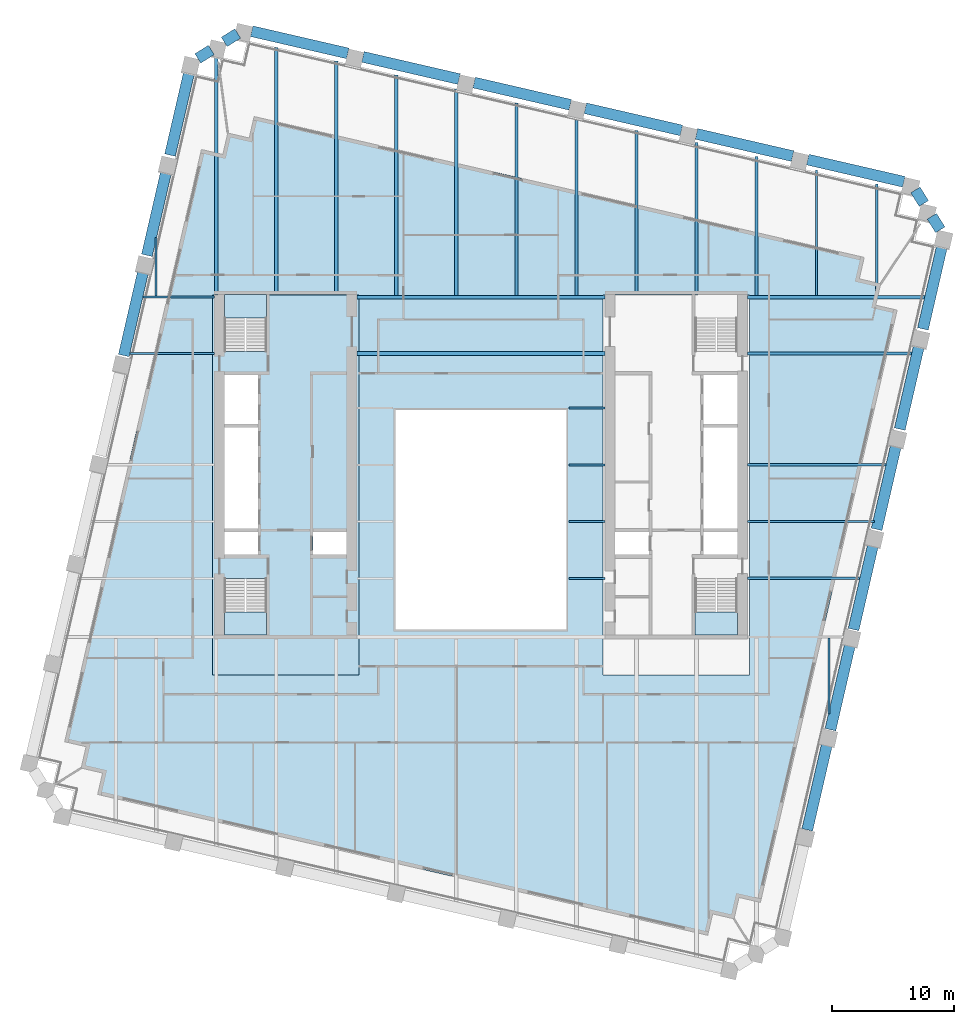
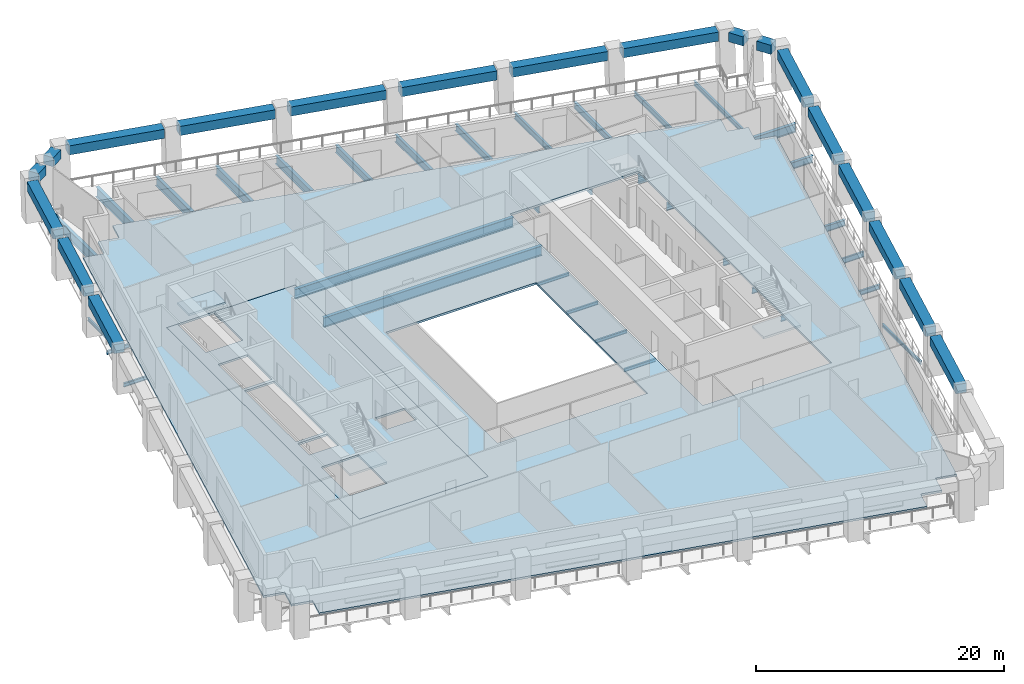
# One storey, part 2 of 10: 46 beams, 5 slabs, 3 elements without a shape of their own.
"""IFC4 building model written with IfcOpenShell, lengths in metres."""

from ifc_helpers import new_model, si_unit, direction, frame, origin, origin_2d, place, context, subcontext, project, spatial, polyline, rectangle, i_section, outline, extrude, material, layer, layer_set, material_profile, profile_set, type_object, element, aggregate, save


model = new_model("IFC4")

# Units and contexts
model_context = context("Model", 3, precision=1e-05, world=origin(), true_north=direction((0.0, 1.0)))
body_context = subcontext(model_context, "Body", "Model", "MODEL_VIEW")
ifc_project = project(units=[si_unit("LENGTHUNIT", "METRE"), si_unit("AREAUNIT", "SQUARE_METRE"), si_unit("VOLUMEUNIT", "CUBIC_METRE"), si_unit("PLANEANGLEUNIT", "RADIAN"), si_unit("MASSUNIT", "GRAM", prefix="KILO")], contexts=[model_context])

# Site, building, storey
site_placement = place(None, origin())
site = spatial("IfcSite", under=ifc_project, at=site_placement, CompositionType="ELEMENT")
building_placement = place(site_placement, origin())
building = spatial("IfcBuilding", under=site, at=building_placement, Name="Ogive Exchange Tower", CompositionType="ELEMENT")
storey_placement = place(building_placement, frame((0.0, 0.0, 143.39990234375)))
storey = spatial("IfcBuildingStorey", under=building, at=storey_placement, Name="L31", CompositionType="ELEMENT", Elevation=143.39990234375)

# Beams
ifc_material_1 = material(Name="Steel ASTM A992 Gr50", Category="steel")
ifc_material_profile_1 = material_profile(ifc_material_1, i_section(OverallWidth=0.300048828125, OverallDepth=0.969970703125, WebThickness=0.01611328125, FlangeThickness=0.02099609375, at=origin_2d()), Name="W1000x222")
ifc_profile_set_1 = profile_set([ifc_material_profile_1], Name="Steel ASTM A992 Gr50")
beam_type_1 = type_object("IfcBeamType", Name="Floor beam W1000x222", PredefinedType="JOIST", material=ifc_profile_set_1)
beam_1_placement = place(storey_placement, frame((-10.169921875, 20.62255859375, -0.684814453125), z_axis=(1.0, 0.0, 0.0), x_axis=(0.0, 1.0, 0.0)))
element("IfcBeam", 1, at=beam_1_placement, inside=storey, type_object=beam_type_1, Name="Floor beam", PredefinedType="JOIST", context=body_context, shape_type="SweptSolid", body=[
    extrude(i_section(OverallWidth=0.300048828125, OverallDepth=0.969970703125, WebThickness=0.01611328125, FlangeThickness=0.02099609375, at=origin_2d()), origin(), (0.0, 0.0, 1.0), 20.33984375),
])
beam_2_placement = place(storey_placement, frame((-21.68505859375, 25.39990234375, -0.684814453125), z_axis=(0.0, 1.0, 0.0), x_axis=(-1.0, 0.0, 0.0)))
element("IfcBeam", 2, at=beam_2_placement, inside=storey, type_object=beam_type_1, Name="Floor beam", PredefinedType="JOIST", context=body_context, shape_type="SweptSolid", body=[
    extrude(i_section(OverallWidth=0.300048828125, OverallDepth=0.969970703125, WebThickness=0.01611328125, FlangeThickness=0.02099609375, at=origin_2d()), origin(), (0.0, 0.0, 1.0), 19.54150390625),
])
beam_3_placement = place(storey_placement, frame((-16.7666015625, 25.39990234375, -0.684814453125), z_axis=(0.0, 1.0, 0.0), x_axis=(-1.0, 0.0, 0.0)))
element("IfcBeam", 3, at=beam_3_placement, inside=storey, type_object=beam_type_1, Name="Floor beam", PredefinedType="JOIST", context=body_context, shape_type="SweptSolid", body=[
    extrude(i_section(OverallWidth=0.300048828125, OverallDepth=0.969970703125, WebThickness=0.01611328125, FlangeThickness=0.02099609375, at=origin_2d()), origin(), (0.0, 0.0, 1.0), 20.30859375),
])
ifc_material_profile_2 = material_profile(ifc_material_1, i_section(OverallWidth=0.1650390625, OverallDepth=0.31005859375, WebThickness=0.005859375, FlangeThickness=0.009765625, at=origin_2d()), Name="W310x38.7")
ifc_profile_set_2 = profile_set([ifc_material_profile_2], Name="Steel ASTM A992 Gr50")
beam_type_2 = type_object("IfcBeamType", Name="Floor beam W310x38.7", PredefinedType="JOIST", material=ifc_profile_set_2)
for number, where, z_axis, x_axis, name in (
    (4, (7.219970703125, 2.208740234375, -0.35498046875), (1.0, 0.0, 0.0), (0.0, 1.0, 0.0), "Floor beam"),
    (5, (7.219970703125, 6.857421875, -0.35498046875), (1.0, 0.0, 0.0), (0.0, 1.0, 0.0), "Floor beam"),
    (6, (7.219970703125, 11.50634765625, -0.35498046875), (1.0, 0.0, 0.0), (0.0, 1.0, 0.0), "Floor beam"),
):
    element("IfcBeam", number, at=place(storey_placement, frame(where, z_axis=z_axis, x_axis=x_axis)), inside=storey, type_object=beam_type_2, Name=name, PredefinedType="JOIST", context=body_context, shape_type="SweptSolid", body=[
        extrude(i_section(OverallWidth=0.1650390625, OverallDepth=0.31005859375, WebThickness=0.005859375, FlangeThickness=0.009765625, at=origin_2d()), origin(), (0.0, 0.0, 1.0), 2.949951171875),
    ])
beam_4_placement = place(storey_placement, frame((28.499267578125, -8.9033203125, -0.35498046875), z_axis=(0.0, 1.0, 0.0), x_axis=(-1.0, 0.0, 0.0)))
element("IfcBeam", 7, at=beam_4_placement, inside=storey, type_object=beam_type_2, Name="Floor beam", PredefinedType="JOIST", context=body_context, shape_type="SweptSolid", body=[
    extrude(i_section(OverallWidth=0.1650390625, OverallDepth=0.31005859375, WebThickness=0.005859375, FlangeThickness=0.009765625, at=origin_2d()), origin(), (0.0, 0.0, 1.0), 6.212890625),
])
beam_5_placement = place(storey_placement, frame((-26.603515625, 25.33056640625, -0.35498046875), z_axis=(0.0, 1.0, 0.0), x_axis=(-1.0, 0.0, 0.0)))
element("IfcBeam", 8, at=beam_5_placement, inside=storey, type_object=beam_type_2, Name="Floor beam", PredefinedType="JOIST", context=body_context, shape_type="SweptSolid", body=[
    extrude(i_section(OverallWidth=0.1650390625, OverallDepth=0.31005859375, WebThickness=0.005859375, FlangeThickness=0.009765625, at=origin_2d()), origin(), (0.0, 0.0, 1.0), 4.784423828125),
])
ifc_material_profile_3 = material_profile(ifc_material_1, i_section(OverallWidth=0.1708984375, OverallDepth=0.35595703125, WebThickness=0.00732421875, FlangeThickness=0.01171875, at=origin_2d()), Name="W360x51")
ifc_profile_set_3 = profile_set([ifc_material_profile_3], Name="Steel ASTM A992 Gr50")
beam_type_3 = type_object("IfcBeamType", Name="Floor beam W360x51", PredefinedType="JOIST", material=ifc_profile_set_3)
beam_6_placement = place(storey_placement, frame((-28.76025390625, 20.62255859375, -0.3779296875), z_axis=(1.0, 0.0, 0.0), x_axis=(0.0, 1.0, 0.0)))
element("IfcBeam", 9, at=beam_6_placement, inside=storey, type_object=beam_type_3, Name="Floor beam", PredefinedType="JOIST", context=body_context, shape_type="SweptSolid", body=[
    extrude(i_section(OverallWidth=0.1708984375, OverallDepth=0.35595703125, WebThickness=0.00732421875, FlangeThickness=0.01171875, at=origin_2d()), origin(), (0.0, 0.0, 1.0), 6.93017578125),
])
ifc_material_profile_4 = material_profile(ifc_material_1, i_section(OverallWidth=0.19091796875, OverallDepth=0.45703125, WebThickness=0.009033203125, FlangeThickness=0.014404296875, at=origin_2d()), Name="W460x74")
ifc_profile_set_4 = profile_set([ifc_material_profile_4], Name="Steel ASTM A992 Gr50")
beam_type_4 = type_object("IfcBeamType", Name="Floor beam W460x74", PredefinedType="JOIST", material=ifc_profile_set_4)
beam_7_placement = place(storey_placement, frame((21.830078125, 2.208740234375, -0.428466796875), z_axis=(1.0, 0.0, 0.0), x_axis=(0.0, 1.0, 0.0)))
element("IfcBeam", 10, at=beam_7_placement, inside=storey, type_object=beam_type_4, Name="Floor beam", PredefinedType="JOIST", context=body_context, shape_type="SweptSolid", body=[
    extrude(i_section(OverallWidth=0.19091796875, OverallDepth=0.45703125, WebThickness=0.009033203125, FlangeThickness=0.014404296875, at=origin_2d()), origin(), (0.0, 0.0, 1.0), 9.199951171875),
])
beam_8_placement = place(storey_placement, frame((32.41748046875, 25.39111328125, -0.428466796875), z_axis=(0.0, 1.0, 0.0), x_axis=(-1.0, 0.0, 0.0)))
element("IfcBeam", 11, at=beam_8_placement, inside=storey, type_object=beam_type_4, Name="Floor beam", PredefinedType="JOIST", context=body_context, shape_type="SweptSolid", body=[
    extrude(i_section(OverallWidth=0.19091796875, OverallDepth=0.45703125, WebThickness=0.009033203125, FlangeThickness=0.014404296875, at=origin_2d()), origin(), (0.0, 0.0, 1.0), 9.1123046875),
])
ifc_material_profile_5 = material_profile(ifc_material_1, i_section(OverallWidth=0.1669921875, OverallDepth=0.535888671875, WebThickness=0.01025390625, FlangeThickness=0.0166015625, at=origin_2d()), Name="W530x85")
ifc_profile_set_5 = profile_set([ifc_material_profile_5], Name="Steel ASTM A992 Gr50")
beam_type_5 = type_object("IfcBeamType", Name="Floor beam W530x85", PredefinedType="JOIST", material=ifc_profile_set_5)
beam_9_placement = place(storey_placement, frame((21.830078125, 6.857421875, -0.468017578125), z_axis=(1.0, 0.0, 0.0), x_axis=(0.0, 1.0, 0.0)))
element("IfcBeam", 12, at=beam_9_placement, inside=storey, type_object=beam_type_5, Name="Floor beam", PredefinedType="JOIST", context=body_context, shape_type="SweptSolid", body=[
    extrude(i_section(OverallWidth=0.1669921875, OverallDepth=0.535888671875, WebThickness=0.01025390625, FlangeThickness=0.0166015625, at=origin_2d()), origin(), (0.0, 0.0, 1.0), 10.423095703125),
])
beam_10_placement = place(storey_placement, frame((27.499267578125, 25.39111328125, -0.468017578125), z_axis=(0.0, 1.0, 0.0), x_axis=(-1.0, 0.0, 0.0)))
element("IfcBeam", 13, at=beam_10_placement, inside=storey, type_object=beam_type_5, Name="Floor beam", PredefinedType="JOIST", context=body_context, shape_type="SweptSolid", body=[
    extrude(i_section(OverallWidth=0.1669921875, OverallDepth=0.535888671875, WebThickness=0.01025390625, FlangeThickness=0.0166015625, at=origin_2d()), origin(), (0.0, 0.0, 1.0), 10.247802734375),
])
ifc_material_profile_6 = material_profile(ifc_material_1, i_section(OverallWidth=0.22802734375, OverallDepth=0.60205078125, WebThickness=0.010498046875, FlangeThickness=0.014892578125, at=origin_2d()), Name="W610x101")
ifc_profile_set_6 = profile_set([ifc_material_profile_6], Name="Steel ASTM A992 Gr50")
beam_type_6 = type_object("IfcBeamType", Name="Floor beam W610x101", PredefinedType="JOIST", material=ifc_profile_set_6)
beam_11_placement = place(storey_placement, frame((21.830078125, 11.50634765625, -0.5009765625), z_axis=(1.0, 0.0, 0.0), x_axis=(0.0, 1.0, 0.0)))
element("IfcBeam", 14, at=beam_11_placement, inside=storey, type_object=beam_type_6, Name="Floor beam", PredefinedType="JOIST", context=body_context, shape_type="SweptSolid", body=[
    extrude(i_section(OverallWidth=0.22802734375, OverallDepth=0.60205078125, WebThickness=0.010498046875, FlangeThickness=0.014892578125, at=origin_2d()), origin(), (0.0, 0.0, 1.0), 11.346435546875),
])
beam_12_placement = place(storey_placement, frame((17.662353515625, 25.39990234375, -0.5009765625), z_axis=(0.0, 1.0, 0.0), x_axis=(-1.0, 0.0, 0.0)))
element("IfcBeam", 15, at=beam_12_placement, inside=storey, type_object=beam_type_6, Name="Floor beam", PredefinedType="JOIST", context=body_context, shape_type="SweptSolid", body=[
    extrude(i_section(OverallWidth=0.22802734375, OverallDepth=0.60205078125, WebThickness=0.010498046875, FlangeThickness=0.014892578125, at=origin_2d()), origin(), (0.0, 0.0, 1.0), 12.510009765625),
])
beam_13_placement = place(storey_placement, frame((22.580810546875, 25.39111328125, -0.5009765625), z_axis=(0.0, 1.0, 0.0), x_axis=(-1.0, 0.0, 0.0)))
element("IfcBeam", 16, at=beam_13_placement, inside=storey, type_object=beam_type_6, Name="Floor beam", PredefinedType="JOIST", context=body_context, shape_type="SweptSolid", body=[
    extrude(i_section(OverallWidth=0.22802734375, OverallDepth=0.60205078125, WebThickness=0.010498046875, FlangeThickness=0.014892578125, at=origin_2d()), origin(), (0.0, 0.0, 1.0), 11.38330078125),
])
ifc_material_profile_7 = material_profile(ifc_material_1, i_section(OverallWidth=0.25390625, OverallDepth=0.677978515625, WebThickness=0.01171875, FlangeThickness=0.016357421875, at=origin_2d()), Name="W690x125")
ifc_profile_set_7 = profile_set([ifc_material_profile_7], Name="Steel ASTM A992 Gr50")
beam_type_7 = type_object("IfcBeamType", Name="Floor beam W690x125", PredefinedType="JOIST", material=ifc_profile_set_7)
beam_14_placement = place(storey_placement, frame((21.830078125, 20.62255859375, -0.538818359375), z_axis=(1.0, 0.0, 0.0), x_axis=(0.0, 1.0, 0.0)))
element("IfcBeam", 17, at=beam_14_placement, inside=storey, type_object=beam_type_7, Name="Floor beam", PredefinedType="JOIST", context=body_context, shape_type="SweptSolid", body=[
    extrude(i_section(OverallWidth=0.25390625, OverallDepth=0.677978515625, WebThickness=0.01171875, FlangeThickness=0.016357421875, at=origin_2d()), origin(), (0.0, 0.0, 1.0), 13.60107421875),
])
beam_15_placement = place(storey_placement, frame((12.743896484375, 25.39990234375, -0.538818359375), z_axis=(0.0, 1.0, 0.0), x_axis=(-1.0, 0.0, 0.0)))
element("IfcBeam", 18, at=beam_15_placement, inside=storey, type_object=beam_type_7, Name="Floor beam", PredefinedType="JOIST", context=body_context, shape_type="SweptSolid", body=[
    extrude(i_section(OverallWidth=0.25390625, OverallDepth=0.677978515625, WebThickness=0.01171875, FlangeThickness=0.016357421875, at=origin_2d()), origin(), (0.0, 0.0, 1.0), 13.49560546875),
])
ifc_material_profile_8 = material_profile(ifc_material_1, i_section(OverallWidth=0.26708984375, OverallDepth=0.75390625, WebThickness=0.01318359375, FlangeThickness=0.01708984375, at=origin_2d()), Name="W760x147")
ifc_profile_set_8 = profile_set([ifc_material_profile_8], Name="Steel ASTM A992 Gr50")
beam_type_8 = type_object("IfcBeamType", Name="Floor beam W760x147", PredefinedType="JOIST", material=ifc_profile_set_8)
beam_16_placement = place(storey_placement, frame((2.906982421875, 25.39501953125, -0.576904296875), z_axis=(0.0, 1.0, 0.0), x_axis=(-1.0, 0.0, 0.0)))
element("IfcBeam", 19, at=beam_16_placement, inside=storey, type_object=beam_type_8, Name="Floor beam", PredefinedType="JOIST", context=body_context, shape_type="SweptSolid", body=[
    extrude(i_section(OverallWidth=0.26708984375, OverallDepth=0.75390625, WebThickness=0.01318359375, FlangeThickness=0.01708984375, at=origin_2d()), origin(), (0.0, 0.0, 1.0), 15.771484375),
])
beam_17_placement = place(storey_placement, frame((7.825439453125, 25.39501953125, -0.576904296875), z_axis=(0.0, 1.0, 0.0), x_axis=(-1.0, 0.0, 0.0)))
element("IfcBeam", 20, at=beam_17_placement, inside=storey, type_object=beam_type_8, Name="Floor beam", PredefinedType="JOIST", context=body_context, shape_type="SweptSolid", body=[
    extrude(i_section(OverallWidth=0.26708984375, OverallDepth=0.75390625, WebThickness=0.01318359375, FlangeThickness=0.01708984375, at=origin_2d()), origin(), (0.0, 0.0, 1.0), 14.635986328125),
])
ifc_material_profile_9 = material_profile(ifc_material_1, i_section(OverallWidth=0.2919921875, OverallDepth=0.8359375, WebThickness=0.013916015625, FlangeThickness=0.018798828125, at=origin_2d()), Name="W840x176")
ifc_profile_set_9 = profile_set([ifc_material_profile_9], Name="Steel ASTM A992 Gr50")
beam_type_9 = type_object("IfcBeamType", Name="Floor beam W840x176", PredefinedType="JOIST", material=ifc_profile_set_9)
beam_18_placement = place(storey_placement, frame((-2.011474609375, 25.39501953125, -0.617919921875), z_axis=(0.0, 1.0, 0.0), x_axis=(-1.0, 0.0, 0.0)))
element("IfcBeam", 21, at=beam_18_placement, inside=storey, type_object=beam_type_9, Name="Floor beam", PredefinedType="JOIST", context=body_context, shape_type="SweptSolid", body=[
    extrude(i_section(OverallWidth=0.2919921875, OverallDepth=0.8359375, WebThickness=0.013916015625, FlangeThickness=0.018798828125, at=origin_2d()), origin(), (0.0, 0.0, 1.0), 16.906982421875),
])
ifc_material_profile_10 = material_profile(ifc_material_1, i_section(OverallWidth=0.304931640625, OverallDepth=0.904052734375, WebThickness=0.01513671875, FlangeThickness=0.02001953125, at=origin_2d()), Name="W920x201")
ifc_profile_set_10 = profile_set([ifc_material_profile_10], Name="Steel ASTM A992 Gr50")
beam_type_10 = type_object("IfcBeamType", Name="Floor beam W920x201", PredefinedType="JOIST", material=ifc_profile_set_10)
beam_19_placement = place(storey_placement, frame((-6.9296875, 25.39501953125, -0.65185546875), z_axis=(0.0, 1.0, 0.0), x_axis=(-1.0, 0.0, 0.0)))
element("IfcBeam", 22, at=beam_19_placement, inside=storey, type_object=beam_type_10, Name="Floor beam", PredefinedType="JOIST", context=body_context, shape_type="SweptSolid", body=[
    extrude(i_section(OverallWidth=0.304931640625, OverallDepth=0.904052734375, WebThickness=0.01513671875, FlangeThickness=0.02001953125, at=origin_2d()), origin(), (0.0, 0.0, 1.0), 18.04248046875),
])
ifc_material_profile_11 = material_profile(ifc_material_1, i_section(OverallWidth=0.304931640625, OverallDepth=0.9189453125, WebThickness=0.017333984375, FlangeThickness=0.02783203125, at=origin_2d()), Name="W920x253")
ifc_profile_set_11 = profile_set([ifc_material_profile_11], Name="Steel ASTM A992 Gr50")
beam_type_11 = type_object("IfcBeamType", Name="Floor beam W920x253", PredefinedType="JOIST", material=ifc_profile_set_11)
beam_20_placement = place(storey_placement, frame((-11.84814453125, 25.39990234375, -0.659423828125), z_axis=(0.0, 1.0, 0.0), x_axis=(-1.0, 0.0, 0.0)))
element("IfcBeam", 23, at=beam_20_placement, inside=storey, type_object=beam_type_11, Name="Floor beam", PredefinedType="JOIST", context=body_context, shape_type="SweptSolid", body=[
    extrude(i_section(OverallWidth=0.304931640625, OverallDepth=0.9189453125, WebThickness=0.017333984375, FlangeThickness=0.02783203125, at=origin_2d()), origin(), (0.0, 0.0, 1.0), 19.173095703125),
])
ifc_material_profile_12 = material_profile(ifc_material_1, i_section(OverallWidth=0.300048828125, OverallDepth=0.97998046875, WebThickness=0.0166015625, FlangeThickness=0.026123046875, at=origin_2d()), Name="W1000x249")
ifc_profile_set_12 = profile_set([ifc_material_profile_12], Name="Steel ASTM A992 Gr50")
beam_type_12 = type_object("IfcBeamType", Name="Girder W1000x249", PredefinedType="BEAM", material=ifc_profile_set_12)
beam_21_placement = place(storey_placement, frame((-10.169921875, 25.2451171875, -0.68994140625), z_axis=(1.0, 0.0, 0.0), x_axis=(0.0, 1.0, 0.0)))
element("IfcBeam", 24, at=beam_21_placement, inside=storey, type_object=beam_type_12, Name="Header girder", PredefinedType="BEAM", context=body_context, shape_type="SweptSolid", body=[
    extrude(i_section(OverallWidth=0.300048828125, OverallDepth=0.97998046875, WebThickness=0.0166015625, FlangeThickness=0.026123046875, at=origin_2d()), origin(), (0.0, 0.0, 1.0), 20.33984375),
])
ifc_material_profile_13 = material_profile(ifc_material_1, i_section(OverallWidth=0.1650390625, OverallDepth=0.31005859375, WebThickness=0.005859375, FlangeThickness=0.009765625, at=origin_2d()), Name="W310x38.7")
ifc_profile_set_13 = profile_set([ifc_material_profile_13], Name="Steel ASTM A992 Gr50")
beam_type_13 = type_object("IfcBeamType", Name="Girder W310x38.7", PredefinedType="BEAM", material=ifc_profile_set_13)
beam_22_placement = place(storey_placement, frame((7.219970703125, 16.155029296875, -0.35498046875), z_axis=(1.0, 0.0, 0.0), x_axis=(0.0, 1.0, 0.0)))
element("IfcBeam", 25, at=beam_22_placement, inside=storey, type_object=beam_type_13, Name="Trimmer girder", PredefinedType="BEAM", context=body_context, shape_type="SweptSolid", body=[
    extrude(i_section(OverallWidth=0.1650390625, OverallDepth=0.31005859375, WebThickness=0.005859375, FlangeThickness=0.009765625, at=origin_2d()), origin(), (0.0, 0.0, 1.0), 2.949951171875),
])
ifc_material_profile_14 = material_profile(ifc_material_1, i_section(OverallWidth=0.1708984375, OverallDepth=0.35595703125, WebThickness=0.00732421875, FlangeThickness=0.01171875, at=origin_2d()), Name="W360x51")
ifc_profile_set_14 = profile_set([ifc_material_profile_14], Name="Steel ASTM A992 Gr50")
beam_type_14 = type_object("IfcBeamType", Name="Girder W360x51", PredefinedType="BEAM", material=ifc_profile_set_14)
beam_23_placement = place(storey_placement, frame((-27.693115234375, 25.2451171875, -0.3779296875), z_axis=(1.0, 0.0, 0.0), x_axis=(0.0, 1.0, 0.0)))
element("IfcBeam", 26, at=beam_23_placement, inside=storey, type_object=beam_type_14, Name="Header girder", PredefinedType="BEAM", context=body_context, shape_type="SweptSolid", body=[
    extrude(i_section(OverallWidth=0.1708984375, OverallDepth=0.35595703125, WebThickness=0.00732421875, FlangeThickness=0.01171875, at=origin_2d()), origin(), (0.0, 0.0, 1.0), 5.863037109375),
])
ifc_material_profile_15 = material_profile(ifc_material_1, i_section(OverallWidth=0.2919921875, OverallDepth=0.8359375, WebThickness=0.013916015625, FlangeThickness=0.018798828125, at=origin_2d()), Name="W840x176")
ifc_profile_set_15 = profile_set([ifc_material_profile_15], Name="Steel ASTM A992 Gr50")
beam_type_15 = type_object("IfcBeamType", Name="Girder W840x176", PredefinedType="BEAM", material=ifc_profile_set_15)
beam_24_placement = place(storey_placement, frame((21.830078125, 25.2451171875, -0.617919921875), z_axis=(1.0, 0.0, 0.0), x_axis=(0.0, 1.0, 0.0)))
element("IfcBeam", 27, at=beam_24_placement, inside=storey, type_object=beam_type_15, Name="Header girder", PredefinedType="BEAM", context=body_context, shape_type="SweptSolid", body=[
    extrude(i_section(OverallWidth=0.2919921875, OverallDepth=0.8359375, WebThickness=0.013916015625, FlangeThickness=0.018798828125, at=origin_2d()), origin(), (0.0, 0.0, 1.0), 14.668212890625),
])
ifc_material_2 = material(Name="Precast concrete C70/85 (limestone faced)", Category="masonry")
ifc_material_profile_16 = material_profile(ifc_material_2, rectangle(XDim=0.89990234375, YDim=0.89990234375, at=origin_2d()), Name="900 x 900")
ifc_profile_set_16 = profile_set([ifc_material_profile_16], Name="Precast concrete C70/85 (limestone faced)")
beam_type_16 = type_object("IfcBeamType", Name="Precast spandrel 900 x 900 C70/85", PredefinedType="SPANDREL", material=ifc_profile_set_16)
for number, where, z_axis, x_axis, name in (
    (28, (26.734130859375, -18.398681640625, 3.5), (0.224974004698, 0.974364765994, 0.0), (-0.974364765994, 0.224974004698, 0.0), "Spandrel 10"),
    (29, (28.629150390625, -10.191162109375, 3.5), (0.224941647513, 0.974372236476, 0.0), (-0.974372236476, 0.224941647513, 0.0), "Spandrel 11"),
    (30, (30.52392578125, -1.983642578125, 3.5), (0.224941647513, 0.974372236476, 0.0), (-0.974372236476, 0.224941647513, 0.0), "Spandrel 12"),
    (31, (32.418701171875, 6.223876953125, 3.5), (0.224974004698, 0.974364765994, 0.0), (-0.974364765994, 0.224974004698, 0.0), "Spandrel 13"),
    (32, (34.313720703125, 14.431396484375, 3.5), (0.224941647513, 0.974372236476, 0.0), (-0.974372236476, 0.224941647513, 0.0), "Spandrel 14"),
):
    element("IfcBeam", number, at=place(storey_placement, frame(where, z_axis=z_axis, x_axis=x_axis)), inside=storey, type_object=beam_type_16, Name=name, PredefinedType="SPANDREL", context=body_context, shape_type="SweptSolid", body=[
        extrude(rectangle(XDim=0.89990234375, YDim=0.89990234375, at=origin_2d()), origin(), (0.0, 0.0, 1.0), 7.163330078125),
    ])
beam_25_placement = place(storey_placement, frame((36.20849609375, 22.638916015625, 3.5), z_axis=(0.224949117756, 0.97437051188, 0.0), x_axis=(-0.97437051188, 0.224949117756, 0.0)))
element("IfcBeam", 33, at=beam_25_placement, inside=storey, type_object=beam_type_16, Name="Spandrel 15", PredefinedType="SPANDREL", context=body_context, shape_type="SweptSolid", body=[
    extrude(rectangle(XDim=0.89990234375, YDim=0.89990234375, at=origin_2d()), origin(), (0.0, 0.0, 1.0), 7.1630859375),
])
beam_26_placement = place(storey_placement, frame((37.63330078125, 30.757568359375, 3.5), z_axis=(-0.529797420498, 0.848124220403, 0.0), x_axis=(-0.848124220403, -0.529797420498, 0.0)))
element("IfcBeam", 34, at=beam_26_placement, inside=storey, type_object=beam_type_16, Name="Spandrel 16", PredefinedType="SPANDREL", context=body_context, shape_type="SweptSolid", body=[
    extrude(rectangle(XDim=0.89990234375, YDim=0.89990234375, at=origin_2d()), origin(), (0.0, 0.0, 1.0), 1.306884765625),
])
beam_27_placement = place(storey_placement, frame((36.284423828125, 32.916259765625, 3.5), z_axis=(-0.529847842077, 0.848092721491, 0.0), x_axis=(-0.848092721491, -0.529847842077, 0.0)))
element("IfcBeam", 35, at=beam_27_placement, inside=storey, type_object=beam_type_16, Name="Spandrel 17", PredefinedType="SPANDREL", context=body_context, shape_type="SweptSolid", body=[
    extrude(rectangle(XDim=0.89990234375, YDim=0.89990234375, at=origin_2d()), origin(), (0.0, 0.0, 1.0), 1.30712890625),
])
for number, where, z_axis, x_axis, name in (
    (36, (34.64990234375, 34.691650390625, 3.5), (-0.974371864918, 0.224943256972, 0.0), (-0.224943256972, -0.974371864918, 0.0), "Spandrel 18"),
    (37, (25.53955078125, 36.794921875, 3.5), (-0.974371864918, 0.224943256972, 0.0), (-0.224943256972, -0.974371864918, 0.0), "Spandrel 19"),
    (38, (16.42919921875, 38.898193359375, 3.5), (-0.974371864918, 0.224943256972, 0.0), (-0.224943256972, -0.974371864918, 0.0), "Spandrel 20"),
):
    element("IfcBeam", number, at=place(storey_placement, frame(where, z_axis=z_axis, x_axis=x_axis)), inside=storey, type_object=beam_type_16, Name=name, PredefinedType="SPANDREL", context=body_context, shape_type="SweptSolid", body=[
        extrude(rectangle(XDim=0.89990234375, YDim=0.89990234375, at=origin_2d()), origin(), (0.0, 0.0, 1.0), 8.090087890625),
    ])
beam_28_placement = place(storey_placement, frame((7.318603515625, 41.001708984375, 3.5), z_axis=(-0.974376952147, 0.224921219821, 0.0), x_axis=(-0.224921219821, -0.974376952147, 0.0)))
element("IfcBeam", 39, at=beam_28_placement, inside=storey, type_object=beam_type_16, Name="Spandrel 21", PredefinedType="SPANDREL", context=body_context, shape_type="SweptSolid", body=[
    extrude(rectangle(XDim=0.89990234375, YDim=0.89990234375, at=origin_2d()), origin(), (0.0, 0.0, 1.0), 8.08984375),
])
beam_29_placement = place(storey_placement, frame((-1.79150390625, 43.104736328125, 3.5), z_axis=(-0.974365250281, 0.224971907236, 0.0), x_axis=(-0.224971907236, -0.974365250281, 0.0)))
element("IfcBeam", 40, at=beam_29_placement, inside=storey, type_object=beam_type_16, Name="Spandrel 22", PredefinedType="SPANDREL", context=body_context, shape_type="SweptSolid", body=[
    extrude(rectangle(XDim=0.89990234375, YDim=0.89990234375, at=origin_2d()), origin(), (0.0, 0.0, 1.0), 8.090087890625),
])
beam_30_placement = place(storey_placement, frame((-10.902099609375, 45.2080078125, 3.5), z_axis=(-0.974363722868, 0.224978522439, 0.0), x_axis=(-0.224978522439, -0.974363722868, 0.0)))
element("IfcBeam", 41, at=beam_30_placement, inside=storey, type_object=beam_type_16, Name="Spandrel 23", PredefinedType="SPANDREL", context=body_context, shape_type="SweptSolid", body=[
    extrude(rectangle(XDim=0.89990234375, YDim=0.89990234375, at=origin_2d()), origin(), (0.0, 0.0, 1.0), 8.08984375),
])
for number, where, z_axis, x_axis, name in (
    (42, (-19.923583984375, 46.841552734375, 3.5), (-0.848040277303, -0.529931776808, 0.0), (0.529931776808, -0.848040277303, 0.0), "Spandrel 24"),
    (43, (-22.08251953125, 45.49267578125, 3.5), (-0.847956329543, -0.530066093226, 0.0), (0.530066093226, -0.847956329543, 0.0), "Spandrel 25"),
):
    element("IfcBeam", number, at=place(storey_placement, frame(where, z_axis=z_axis, x_axis=x_axis)), inside=storey, type_object=beam_type_16, Name=name, PredefinedType="SPANDREL", context=body_context, shape_type="SweptSolid", body=[
        extrude(rectangle(XDim=0.89990234375, YDim=0.89990234375, at=origin_2d()), origin(), (0.0, 0.0, 1.0), 1.30712890625),
    ])
for number, where, z_axis, x_axis, name in (
    (44, (-23.85791015625, 43.85791015625, 3.5), (-0.224941647513, -0.974372236476, 0.0), (0.974372236476, -0.224941647513, 0.0), "Spandrel 26"),
    (45, (-25.752685546875, 35.650390625, 3.5), (-0.224941647513, -0.974372236476, 0.0), (0.974372236476, -0.224941647513, 0.0), "Spandrel 27"),
):
    element("IfcBeam", number, at=place(storey_placement, frame(where, z_axis=z_axis, x_axis=x_axis)), inside=storey, type_object=beam_type_16, Name=name, PredefinedType="SPANDREL", context=body_context, shape_type="SweptSolid", body=[
        extrude(rectangle(XDim=0.89990234375, YDim=0.89990234375, at=origin_2d()), origin(), (0.0, 0.0, 1.0), 7.163330078125),
    ])
beam_31_placement = place(storey_placement, frame((-27.6474609375, 27.443115234375, 3.5), z_axis=(-0.224934177752, -0.974373960899, 0.0), x_axis=(0.974373960899, -0.224934177752, 0.0)))
element("IfcBeam", 46, at=beam_31_placement, inside=storey, type_object=beam_type_16, Name="Spandrel 28", PredefinedType="SPANDREL", context=body_context, shape_type="SweptSolid", body=[
    extrude(rectangle(XDim=0.89990234375, YDim=0.89990234375, at=origin_2d()), origin(), (0.0, 0.0, 1.0), 7.16357421875),
])

# Slabs
ifc_material_3 = material(Name="Concrete C50/60", Category="concrete")
ifc_layer_1 = layer(ifc_material_3, 0.199951171875)
ifc_layer_set_1 = layer_set([ifc_layer_1], Name="Composite floor slab 200")
slab_type_1 = type_object("IfcSlabType", Name="Composite floor slab 200", PredefinedType="FLOOR", material=ifc_layer_set_1)
slab_1_placement = place(storey_placement, frame((0.0, 0.0, -0.199951171875)))
element("IfcSlab", 47, at=slab_1_placement, inside=storey, type_object=slab_type_1, Name="Composite floor slab", PredefinedType="FLOOR", context=body_context, shape_type="SweptSolid", body=[
    extrude(outline(polyline([(-30.998779296875, -13.74560546875), (-32.752685546875, -13.3408203125), (-32.34765625, -11.5869140625), (-34.1015625, -11.181884765625), (-22.89892578125, 37.341552734375), (-21.145263671875, 36.936767578125), (-20.740234375, 38.690673828125), (-18.986328125, 38.28564453125), (-18.58154296875, 40.03955078125), (31.40380859375, 28.49951171875), (30.998779296875, 26.74560546875), (32.752685546875, 26.3408203125), (32.34765625, 24.5869140625), (34.1015625, 24.181884765625), (22.89892578125, -24.341552734375), (21.145263671875, -23.936767578125), (20.740234375, -25.690673828125), (18.986328125, -25.28564453125), (18.58154296875, -27.03955078125), (-31.40380859375, -15.49951171875), (-30.998779296875, -13.74560546875)]), holes=[polyline([(7.0, -2.0), (7.0, 16.0), (-7.0, 16.0), (-7.0, -2.0), (7.0, -2.0)]), polyline([(-22.0, -5.699951171875), (-10.0, -5.699951171875), (-10.0, 25.39990234375), (-22.0, 25.39990234375), (-22.0, -5.699951171875)]), polyline([(10.0, -5.699951171875), (22.0, -5.699951171875), (22.0, 25.39990234375), (10.0, 25.39990234375), (10.0, -5.699951171875)])]), origin(), (0.0, 0.0, 1.0), 0.199951171875),
])
ifc_material_4 = material(Name="Concrete C70/85", Category="concrete")
ifc_layer_2 = layer(ifc_material_4, 0.199951171875)
ifc_layer_set_2 = layer_set([ifc_layer_2], Name="Core floor slab 200")
slab_type_2 = type_object("IfcSlabType", Name="Core floor slab 200", PredefinedType="FLOOR", material=ifc_layer_set_2)
slab_2_placement = place(storey_placement, frame((0.0, 0.0, -0.199951171875)))
element("IfcSlab", 48, at=slab_2_placement, inside=storey, type_object=slab_type_2, Name="Core floor slab", PredefinedType="FLOOR", context=body_context, shape_type="SweptSolid", body=[
    extrude(outline(polyline([(-10.0, 25.39990234375), (-10.0, -5.699951171875), (-22.0, -5.699951171875), (-22.0, 25.39990234375), (-21.0, 25.39990234375), (-21.0, 20.803955078125), (-17.550048828125, 20.803955078125), (-17.550048828125, 25.39990234375), (-10.0, 25.39990234375)]), holes=[polyline([(-17.550048828125, 2.196044921875), (-21.0, 2.196044921875), (-21.0, -2.449951171875), (-17.550048828125, -2.449951171875), (-17.550048828125, 2.196044921875)]), polyline([(-18.25, 5.992919921875), (-21.0, 5.992919921875), (-21.0, 4.14990234375), (-18.25, 4.14990234375), (-18.25, 5.992919921875)]), polyline([(-11.0, 5.992919921875), (-13.75, 5.992919921875), (-13.75, 4.14990234375), (-11.0, 4.14990234375), (-11.0, 5.992919921875)]), polyline([(-21.0, 14.564208984375), (-21.0, 6.29296875), (-18.25, 6.29296875), (-18.25, 14.564208984375), (-21.0, 14.564208984375)]), polyline([(-18.25, 18.85009765625), (-21.0, 18.85009765625), (-21.0, 14.8642578125), (-18.25, 14.8642578125), (-18.25, 18.85009765625)])]), origin(), (0.0, 0.0, 1.0), 0.199951171875),
])

# Stair, slab
ifc_material_5 = material(Name="Concrete C40/50", Category="concrete")
stair_type = type_object("IfcStairType", Name="Exit stair 1650 wide", PredefinedType="HALF_TURN_STAIR", material=ifc_material_5)
stair_1_placement = place(storey_placement, origin())
stair_1 = element("IfcStair", 49, at=stair_1_placement, inside=storey, type_object=stair_type, Name="L31 exit stair ST1", PredefinedType="HALF_TURN_STAIR")
ifc_layer_3 = layer(ifc_material_5, 0.199951171875)
ifc_layer_set_3 = layer_set([ifc_layer_3], Name="Stair landing 200 slab")
slab_type_3 = type_object("IfcSlabType", Name="Stair landing 200 slab", PredefinedType="LANDING", material=ifc_layer_set_3)
slab_3_placement = place(storey_placement, frame((0.0, 0.0, 1.900146484375)))
slab_3 = element("IfcSlab", 50, at=slab_3_placement, type_object=slab_type_3, Name="ST1 landing 1", PredefinedType="LANDING", context=body_context, shape_type="SweptSolid", body=[
    extrude(outline(polyline([(-21.0, -0.550048828125), (-21.0, -2.449951171875), (-17.550048828125, -2.449951171875), (-17.550048828125, -0.550048828125), (-21.0, -0.550048828125)])), origin(), (0.0, 0.0, 1.0), 0.199951171875),
])
aggregate(stair_1, [slab_3])

stair_2_placement = place(storey_placement, origin())
stair_2 = element("IfcStair", 51, at=stair_2_placement, inside=storey, type_object=stair_type, Name="L31 exit stair ST2", PredefinedType="HALF_TURN_STAIR")
slab_4_placement = place(storey_placement, frame((0.0, 0.0, 1.900146484375)))
slab_4 = element("IfcSlab", 52, at=slab_4_placement, type_object=slab_type_3, Name="ST2 landing 1", PredefinedType="LANDING", context=body_context, shape_type="SweptSolid", body=[
    extrude(outline(polyline([(-17.550048828125, 23.550048828125), (-17.550048828125, 25.449951171875), (-21.0, 25.449951171875), (-21.0, 23.550048828125), (-17.550048828125, 23.550048828125)])), origin(), (0.0, 0.0, 1.0), 0.199951171875),
])
aggregate(stair_2, [slab_4])

stair_3_placement = place(storey_placement, origin())
stair_3 = element("IfcStair", 53, at=stair_3_placement, inside=storey, type_object=stair_type, Name="L31 exit stair ST3", PredefinedType="HALF_TURN_STAIR")
slab_5_placement = place(storey_placement, frame((0.0, 0.0, 1.900146484375)))
slab_5 = element("IfcSlab", 54, at=slab_5_placement, type_object=slab_type_3, Name="ST3 landing 1", PredefinedType="LANDING", context=body_context, shape_type="SweptSolid", body=[
    extrude(outline(polyline([(17.550048828125, -0.550048828125), (17.550048828125, -2.449951171875), (21.0, -2.449951171875), (21.0, -0.550048828125), (17.550048828125, -0.550048828125)])), origin(), (0.0, 0.0, 1.0), 0.199951171875),
])
aggregate(stair_3, [slab_5])

save(model, "model.ifc")
